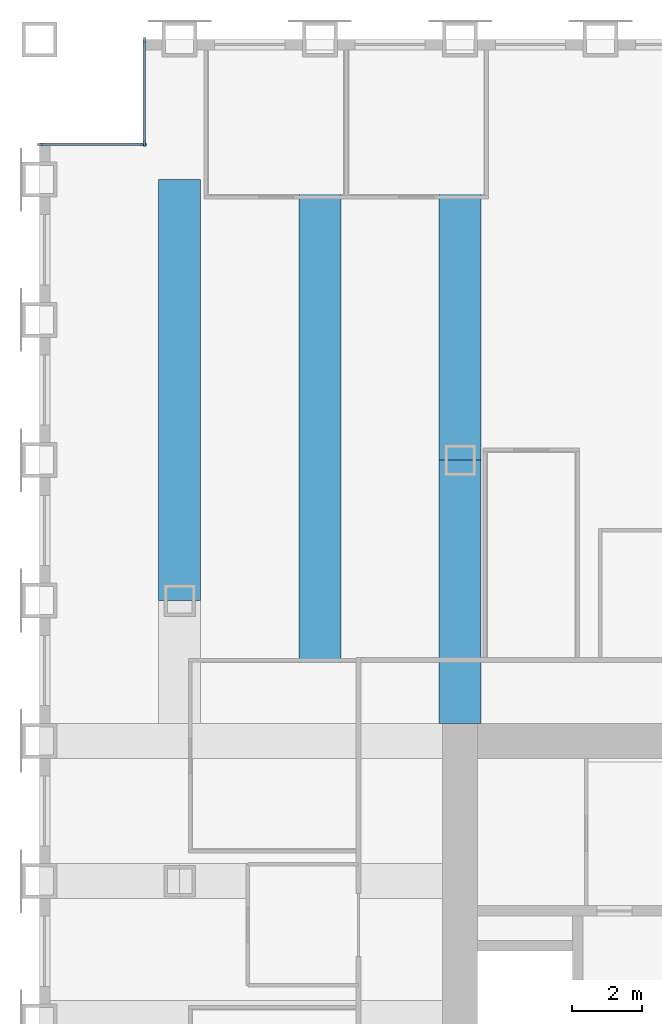
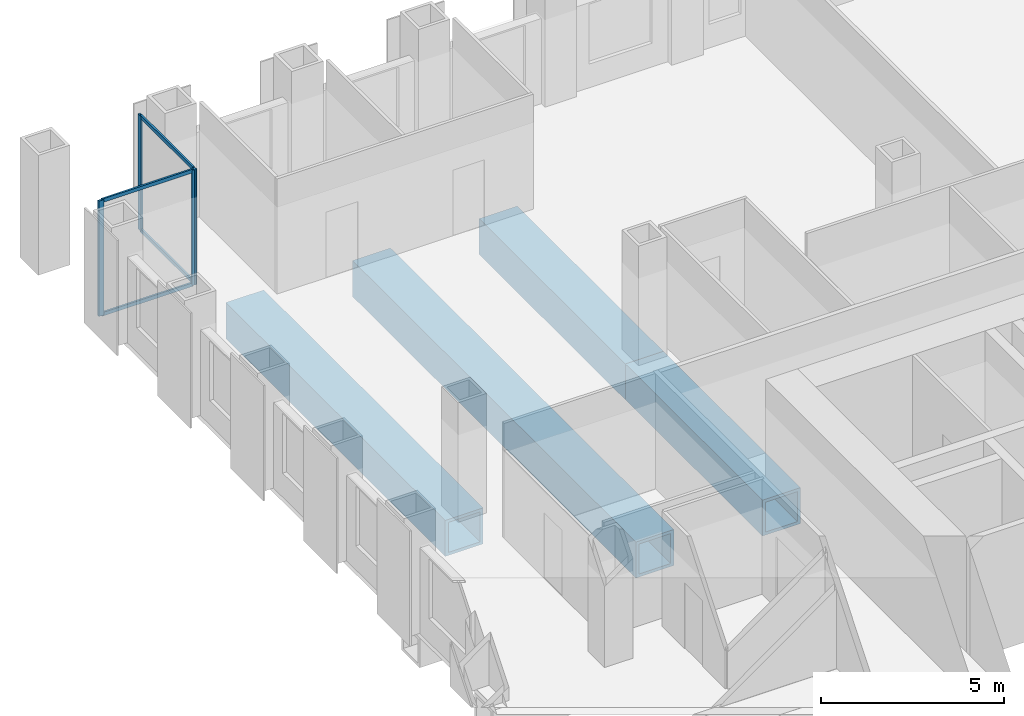
# One storey, part 5 of 13: 8 members, 4 beams, 2 elements without a shape of their own.
"""IFC4 building model written with IfcOpenShell, lengths in metres."""

from ifc_helpers import new_model, si_unit, direction, frame, origin, origin_2d, place, context, subcontext, project, spatial, rectangle, hollow_rectangle, extrude, material, material_profile, profile_set, type_object, element, aggregate, save


model = new_model("IFC4")

# Units and contexts
model_context = context("Model", 3, precision=1e-05, world=origin(), true_north=direction((0.0, 1.0)))
body_context = subcontext(model_context, "Body", "Model", "MODEL_VIEW")
ifc_project = project(units=[si_unit("LENGTHUNIT", "METRE"), si_unit("AREAUNIT", "SQUARE_METRE"), si_unit("VOLUMEUNIT", "CUBIC_METRE"), si_unit("PLANEANGLEUNIT", "RADIAN"), si_unit("MASSUNIT", "GRAM", prefix="KILO")], contexts=[model_context])

# Site, building, storey
site_placement = place(None, origin())
site = spatial("IfcSite", under=ifc_project, at=site_placement, CompositionType="ELEMENT")
building_placement = place(site_placement, origin())
building = spatial("IfcBuilding", under=site, at=building_placement, Name="Rimbunsela Tower", CompositionType="ELEMENT")
storey_placement = place(building_placement, frame((0.0, 0.0, 175.800048828125)))
storey = spatial("IfcBuildingStorey", under=building, at=storey_placement, Name="L42", CompositionType="ELEMENT", Elevation=175.800048828125)

# Beams
ifc_material_1 = material(Name="Steel BJ 55 (fy 410 MPa)", Category="steel")
ifc_material_profile_1 = material_profile(ifc_material_1, hollow_rectangle(XDim=1.199951171875, YDim=1.199951171875, WallThickness=0.10009765625, at=origin_2d()), Name="BOX 1200x1200x100")
ifc_profile_set_1 = profile_set([ifc_material_profile_1], Name="Steel BJ 55 (fy 410 MPa)")
beam_type = type_object("IfcBeamType", Name="Beam BOX 1200x1200x100", PredefinedType="BEAM", material=ifc_profile_set_1)
beam_1_placement = place(storey_placement, frame((10.0, 40.0, -0.75), z_axis=(0.0, 1.0, 0.0), x_axis=(-1.0, 0.0, 0.0)))
element("IfcBeam", 1, at=beam_1_placement, inside=storey, type_object=beam_type, Name="Beam B5 L42", PredefinedType="BEAM", context=body_context, shape_type="SweptSolid", body=[
    extrude(hollow_rectangle(XDim=1.199951171875, YDim=1.199951171875, WallThickness=0.10009765625, at=origin_2d()), origin(), (0.0, 0.0, 1.0), 12.0),
])
beam_2_placement = place(storey_placement, frame((14.0, 36.5, -0.75), z_axis=(0.0, 1.0, 0.0), x_axis=(-1.0, 0.0, 0.0)))
element("IfcBeam", 2, at=beam_2_placement, inside=storey, type_object=beam_type, Name="Beam B5 L42", PredefinedType="BEAM", context=body_context, shape_type="SweptSolid", body=[
    extrude(hollow_rectangle(XDim=1.199951171875, YDim=1.199951171875, WallThickness=0.10009765625, at=origin_2d()), origin(), (0.0, 0.0, 1.0), 15.5),
])
beam_3_placement = place(storey_placement, frame((18.0, 36.5, -0.75), z_axis=(0.0, 1.0, 0.0), x_axis=(-1.0, 0.0, 0.0)))
element("IfcBeam", 3, at=beam_3_placement, inside=storey, type_object=beam_type, Name="Beam B5 L42", PredefinedType="BEAM", context=body_context, shape_type="SweptSolid", body=[
    extrude(hollow_rectangle(XDim=1.199951171875, YDim=1.199951171875, WallThickness=0.10009765625, at=origin_2d()), origin(), (0.0, 0.0, 1.0), 7.5),
])
beam_4_placement = place(storey_placement, frame((18.0, 44.0, -0.75), z_axis=(0.0, 1.0, 0.0), x_axis=(-1.0, 0.0, 0.0)))
element("IfcBeam", 4, at=beam_4_placement, inside=storey, type_object=beam_type, Name="Beam B5 L42", PredefinedType="BEAM", context=body_context, shape_type="SweptSolid", body=[
    extrude(hollow_rectangle(XDim=1.199951171875, YDim=1.199951171875, WallThickness=0.10009765625, at=origin_2d()), origin(), (0.0, 0.0, 1.0), 8.0),
])

# Curtain wall, members
ifc_material_2 = material(Name="Aluminium curtain wall", Category="aluminium")
curtain_wall_type = type_object("IfcCurtainWallType", Name="Corner glazing", PredefinedType="USERDEFINED", material=ifc_material_2)
curtain_wall_1_placement = place(storey_placement, origin())
curtain_wall_1 = element("IfcCurtainWall", 5, at=curtain_wall_1_placement, inside=storey, type_object=curtain_wall_type, Name="Corner glazing L42", ObjectType="CORNER GLAZING", PredefinedType="USERDEFINED")
ifc_material_3 = material(Name="Aluminium mullion", Category="aluminium")
ifc_material_profile_2 = material_profile(ifc_material_3, rectangle(XDim=0.06005859375, YDim=0.159912109375, at=origin_2d()), Name="Mullion 60x160")
ifc_profile_set_2 = profile_set([ifc_material_profile_2], Name="Aluminium mullion")
member_type_1 = type_object("IfcMemberType", Name="Curtain wall mullion 60x160", PredefinedType="MULLION", material=ifc_profile_set_2)
member_1_placement = place(storey_placement, frame((9.0, 55.969970703125, 0.0), z_axis=(0.0, 0.0, 1.0), x_axis=(1.0, 0.0, 0.0)))
member_1 = element("IfcMember", 6, at=member_1_placement, type_object=member_type_1, Name="CW5 mullion 1", PredefinedType="MULLION", context=body_context, shape_type="SweptSolid", body=[
    extrude(rectangle(XDim=0.06005859375, YDim=0.159912109375, at=origin_2d()), origin(), (0.0, 0.0, 1.0), 3.849853515625),
])
member_2_placement = place(storey_placement, frame((9.0, 53.030029296875, 0.0), z_axis=(0.0, 0.0, 1.0), x_axis=(1.0, 0.0, 0.0)))
member_2 = element("IfcMember", 7, at=member_2_placement, type_object=member_type_1, Name="CW5 mullion 2", PredefinedType="MULLION", context=body_context, shape_type="SweptSolid", body=[
    extrude(rectangle(XDim=0.06005859375, YDim=0.159912109375, at=origin_2d()), origin(), (0.0, 0.0, 1.0), 3.849853515625),
])

curtain_wall_2_placement = place(storey_placement, origin())
curtain_wall_2 = element("IfcCurtainWall", 8, at=curtain_wall_2_placement, inside=storey, type_object=curtain_wall_type, Name="Corner glazing L42", ObjectType="CORNER GLAZING", PredefinedType="USERDEFINED")
member_3_placement = place(storey_placement, frame((8.969970703125, 53.0, 0.0), z_axis=(0.0, 0.0, 1.0), x_axis=(0.0, -1.0, 0.0)))
member_3 = element("IfcMember", 9, at=member_3_placement, type_object=member_type_1, Name="CW5 mullion 1", PredefinedType="MULLION", context=body_context, shape_type="SweptSolid", body=[
    extrude(rectangle(XDim=0.06005859375, YDim=0.159912109375, at=origin_2d()), origin(), (0.0, 0.0, 1.0), 3.849853515625),
])
member_4_placement = place(storey_placement, frame((6.030029296875, 53.0, 0.0), z_axis=(0.0, 0.0, 1.0), x_axis=(0.0, -1.0, 0.0)))
member_4 = element("IfcMember", 10, at=member_4_placement, type_object=member_type_1, Name="CW5 mullion 2", PredefinedType="MULLION", context=body_context, shape_type="SweptSolid", body=[
    extrude(rectangle(XDim=0.06005859375, YDim=0.159912109375, at=origin_2d()), origin(), (0.0, 0.0, 1.0), 3.849853515625),
])

# Member
ifc_material_4 = material(Name="Aluminium transom", Category="aluminium")
ifc_material_profile_3 = material_profile(ifc_material_4, rectangle(XDim=0.06005859375, YDim=0.1201171875, at=origin_2d()), Name="Transom 60x120")
ifc_profile_set_3 = profile_set([ifc_material_profile_3], Name="Aluminium transom")
member_type_2 = type_object("IfcMemberType", Name="Curtain wall transom 60x120", PredefinedType="USERDEFINED", material=ifc_profile_set_3)
member_5_placement = place(storey_placement, frame((9.0, 55.93994140625, 0.030029296875), z_axis=(0.0, -1.0, 0.0), x_axis=(1.0, 0.0, 0.0)))
member_5 = element("IfcMember", 11, at=member_5_placement, type_object=member_type_2, Name="CW5 transom 1.1", ObjectType="TRANSOM", PredefinedType="USERDEFINED", context=body_context, shape_type="SweptSolid", body=[
    extrude(rectangle(XDim=0.06005859375, YDim=0.1201171875, at=origin_2d()), origin(), (0.0, 0.0, 1.0), 2.8798828125),
])

member_6_placement = place(storey_placement, frame((9.0, 55.93994140625, 3.820068359375), z_axis=(0.0, -1.0, 0.0), x_axis=(1.0, 0.0, 0.0)))
member_6 = element("IfcMember", 12, at=member_6_placement, type_object=member_type_2, Name="CW5 transom 1.2", ObjectType="TRANSOM", PredefinedType="USERDEFINED", context=body_context, shape_type="SweptSolid", body=[
    extrude(rectangle(XDim=0.06005859375, YDim=0.1201171875, at=origin_2d()), origin(), (0.0, 0.0, 1.0), 2.8798828125),
])

aggregate(curtain_wall_1, [member_1, member_2, member_5, member_6])

member_7_placement = place(storey_placement, frame((8.93994140625, 53.0, 0.030029296875), z_axis=(-1.0, 0.0, 0.0), x_axis=(0.0, -1.0, 0.0)))
member_7 = element("IfcMember", 13, at=member_7_placement, type_object=member_type_2, Name="CW5 transom 1.1", ObjectType="TRANSOM", PredefinedType="USERDEFINED", context=body_context, shape_type="SweptSolid", body=[
    extrude(rectangle(XDim=0.06005859375, YDim=0.1201171875, at=origin_2d()), origin(), (0.0, 0.0, 1.0), 2.8798828125),
])

member_8_placement = place(storey_placement, frame((8.93994140625, 53.0, 3.820068359375), z_axis=(-1.0, 0.0, 0.0), x_axis=(0.0, -1.0, 0.0)))
member_8 = element("IfcMember", 14, at=member_8_placement, type_object=member_type_2, Name="CW5 transom 1.2", ObjectType="TRANSOM", PredefinedType="USERDEFINED", context=body_context, shape_type="SweptSolid", body=[
    extrude(rectangle(XDim=0.06005859375, YDim=0.1201171875, at=origin_2d()), origin(), (0.0, 0.0, 1.0), 2.8798828125),
])

aggregate(curtain_wall_2, [member_3, member_4, member_7, member_8])

save(model, "model.ifc")
